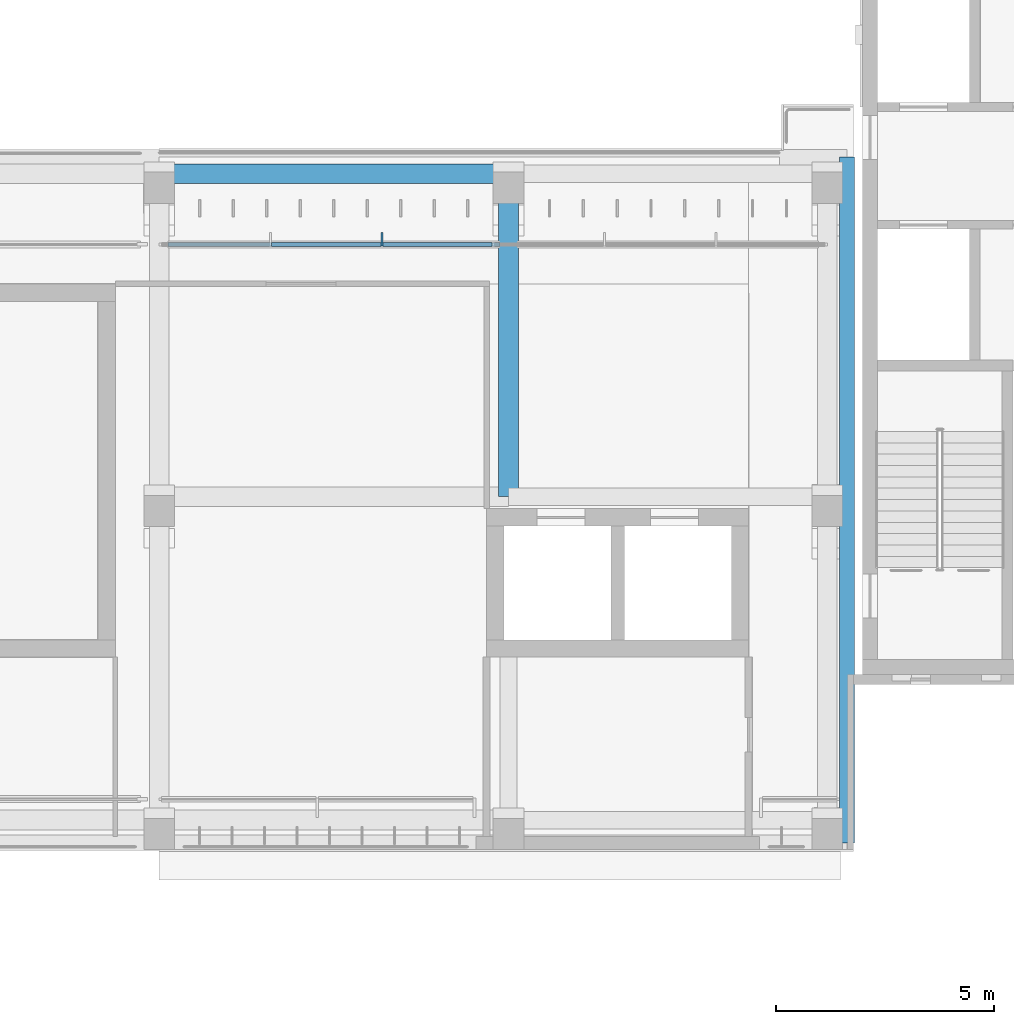
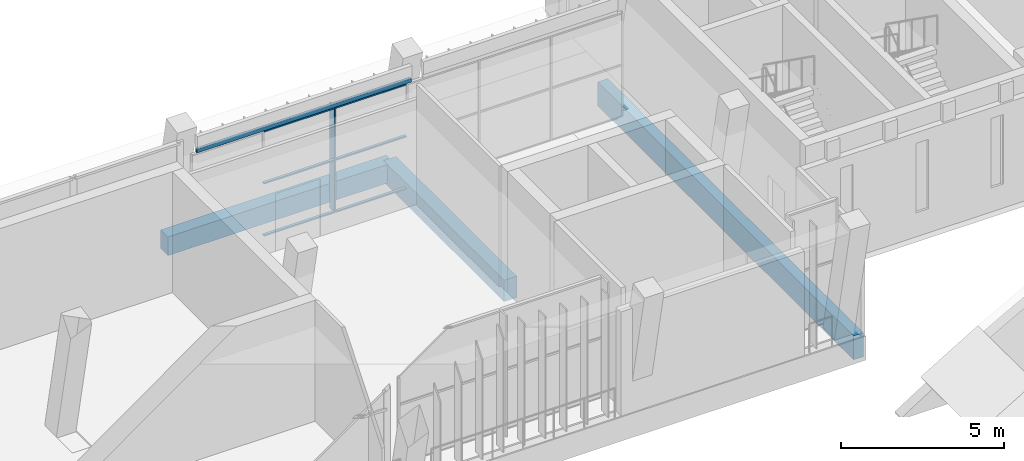
# One storey, part 13 of 74: 7 members, 4 beams, 1 element without a shape of its own.
"""IFC4 building model written with IfcOpenShell, lengths in metres."""

from ifc_helpers import new_model, si_unit, direction, frame, origin, origin_2d, place, context, subcontext, project, spatial, rectangle, hollow_rectangle, extrude, material, material_profile, profile_set, type_object, element, aggregate, save


model = new_model("IFC4")

# Units and contexts
model_context = context("Model", 3, precision=1e-05, world=origin(), true_north=direction((0.0, 1.0)))
body_context = subcontext(model_context, "Body", "Model", "MODEL_VIEW")
ifc_project = project(units=[si_unit("LENGTHUNIT", "METRE"), si_unit("AREAUNIT", "SQUARE_METRE"), si_unit("VOLUMEUNIT", "CUBIC_METRE"), si_unit("PLANEANGLEUNIT", "RADIAN"), si_unit("MASSUNIT", "GRAM", prefix="KILO")], contexts=[model_context])

# Site, building, storey
site_placement = place(None, origin())
site = spatial("IfcSite", under=ifc_project, at=site_placement, CompositionType="ELEMENT")
building_placement = place(site_placement, origin())
building = spatial("IfcBuilding", under=site, at=building_placement, Name="Lantern Court Media Centre", CompositionType="ELEMENT")
storey_placement = place(building_placement, frame((0.0, 0.0, 19.199951171875)))
storey = spatial("IfcBuildingStorey", under=building, at=storey_placement, Name="L04", CompositionType="ELEMENT", Elevation=19.199951171875)

# Curtain wall, members
ifc_material_1 = material(Name="Curtain wall bay 2400")
curtain_wall_type = type_object("IfcCurtainWallType", Name="Curtain wall bay 2400", PredefinedType="NOTDEFINED", material=ifc_material_1)
curtain_wall_placement = place(storey_placement, origin())
curtain_wall = element("IfcCurtainWall", 1, at=curtain_wall_placement, inside=storey, type_object=curtain_wall_type, Name="Curtain wall S inner L04", PredefinedType="NOTDEFINED")
ifc_material_2 = material(Name="Anodised aluminium", Category="aluminium")
ifc_material_profile_1 = material_profile(ifc_material_2, rectangle(XDim=0.300048828125, YDim=0.050048828125, at=origin_2d()), Name="AL 50x300")
ifc_profile_set_1 = profile_set([ifc_material_profile_1], Name="Anodised aluminium")
member_type_1 = type_object("IfcMemberType", Name="Curtain wall mullion 50x300", PredefinedType="MULLION", material=ifc_profile_set_1)
member_1_placement = place(storey_placement, frame((69.10009765625, 57.969970703125, 0.0), z_axis=(0.0, 0.0, 1.0), x_axis=(0.0, 1.0, 0.0)))
member_1 = element("IfcMember", 2, at=member_1_placement, type_object=member_type_1, Name="CW2 mullion 3", PredefinedType="MULLION", context=body_context, shape_type="SweptSolid", body=[
    extrude(rectangle(XDim=0.300048828125, YDim=0.050048828125, at=origin_2d()), origin(), (0.0, 0.0, 1.0), 3.949951171875),
])
ifc_material_profile_2 = material_profile(ifc_material_2, rectangle(XDim=0.10009765625, YDim=0.050048828125, at=origin_2d()), Name="AL 50x100")
ifc_profile_set_2 = profile_set([ifc_material_profile_2], Name="Anodised aluminium")
member_type_2 = type_object("IfcMemberType", Name="Curtain wall transom 100x50", PredefinedType="USERDEFINED", material=ifc_profile_set_2)
member_2_placement = place(storey_placement, frame((66.574951171875, 57.85009765625, 0.025146484375), z_axis=(1.0, 0.0, 0.0), x_axis=(0.0, 1.0, 0.0)))
member_2 = element("IfcMember", 3, at=member_2_placement, type_object=member_type_2, Name="CW2 transom 2.1", ObjectType="TRANSOM", PredefinedType="USERDEFINED", context=body_context, shape_type="SweptSolid", body=[
    extrude(rectangle(XDim=0.10009765625, YDim=0.050048828125, at=origin_2d()), origin(), (0.0, 0.0, 1.0), 2.5),
])
member_3_placement = place(storey_placement, frame((66.574951171875, 57.85009765625, 1.97509765625), z_axis=(1.0, 0.0, 0.0), x_axis=(0.0, 1.0, 0.0)))
member_3 = element("IfcMember", 4, at=member_3_placement, type_object=member_type_2, Name="CW2 transom 2.2", ObjectType="TRANSOM", PredefinedType="USERDEFINED", context=body_context, shape_type="SweptSolid", body=[
    extrude(rectangle(XDim=0.10009765625, YDim=0.050048828125, at=origin_2d()), origin(), (0.0, 0.0, 1.0), 2.5),
])
member_4_placement = place(storey_placement, frame((66.574951171875, 57.85009765625, 3.925048828125), z_axis=(1.0, 0.0, 0.0), x_axis=(0.0, 1.0, 0.0)))
member_4 = element("IfcMember", 5, at=member_4_placement, type_object=member_type_2, Name="CW2 transom 2.3", ObjectType="TRANSOM", PredefinedType="USERDEFINED", context=body_context, shape_type="SweptSolid", body=[
    extrude(rectangle(XDim=0.10009765625, YDim=0.050048828125, at=origin_2d()), origin(), (0.0, 0.0, 1.0), 2.5),
])
member_5_placement = place(storey_placement, frame((69.125, 57.85009765625, 0.025146484375), z_axis=(1.0, 0.0, 0.0), x_axis=(0.0, 1.0, 0.0)))
member_5 = element("IfcMember", 6, at=member_5_placement, type_object=member_type_2, Name="CW2 transom 3.1", ObjectType="TRANSOM", PredefinedType="USERDEFINED", context=body_context, shape_type="SweptSolid", body=[
    extrude(rectangle(XDim=0.10009765625, YDim=0.050048828125, at=origin_2d()), origin(), (0.0, 0.0, 1.0), 2.5),
])
member_6_placement = place(storey_placement, frame((69.125, 57.85009765625, 1.97509765625), z_axis=(1.0, 0.0, 0.0), x_axis=(0.0, 1.0, 0.0)))
member_6 = element("IfcMember", 7, at=member_6_placement, type_object=member_type_2, Name="CW2 transom 3.2", ObjectType="TRANSOM", PredefinedType="USERDEFINED", context=body_context, shape_type="SweptSolid", body=[
    extrude(rectangle(XDim=0.10009765625, YDim=0.050048828125, at=origin_2d()), origin(), (0.0, 0.0, 1.0), 2.5),
])
member_7_placement = place(storey_placement, frame((69.125, 57.85009765625, 3.925048828125), z_axis=(1.0, 0.0, 0.0), x_axis=(0.0, 1.0, 0.0)))
member_7 = element("IfcMember", 8, at=member_7_placement, type_object=member_type_2, Name="CW2 transom 3.3", ObjectType="TRANSOM", PredefinedType="USERDEFINED", context=body_context, shape_type="SweptSolid", body=[
    extrude(rectangle(XDim=0.10009765625, YDim=0.050048828125, at=origin_2d()), origin(), (0.0, 0.0, 1.0), 2.5),
])
aggregate(curtain_wall, [member_1, member_2, member_3, member_4, member_5, member_6, member_7])

# Beams
ifc_material_3 = material(Name="Steel S355J2 (EN 10025-2)", Category="steel")
ifc_material_profile_3 = material_profile(ifc_material_3, hollow_rectangle(XDim=0.10009765625, YDim=0.14990234375, WallThickness=0.00634765625, InnerFilletRadius=0.00634765625, OuterFilletRadius=0.009521484375, at=origin_2d()), Name="Facade head lintel RHS 150x100x6.3")
ifc_profile_set_3 = profile_set([ifc_material_profile_3], Name="Steel S355J2 (EN 10025-2)")
beam_type_1 = type_object("IfcBeamType", Name="Facade head lintel RHS 150x100x6.3", PredefinedType="BEAM", material=ifc_profile_set_3)
beam_1_placement = place(storey_placement, frame((64.199951171875, 57.85009765625, 4.025146484375), z_axis=(1.0, 0.0, 0.0), x_axis=(0.0, 1.0, 0.0)))
element("IfcBeam", 9, at=beam_1_placement, inside=storey, type_object=beam_type_1, Name="Facade head lintel S L04", PredefinedType="BEAM", context=body_context, shape_type="SweptSolid", body=[
    extrude(hollow_rectangle(XDim=0.10009765625, YDim=0.14990234375, WallThickness=0.00634765625, InnerFilletRadius=0.00634765625, OuterFilletRadius=0.009521484375, at=origin_2d()), origin(), (0.0, 0.0, 1.0), 7.60009765625),
])
ifc_material_4 = material(Name="Concrete C35", Category="concrete")
ifc_material_profile_4 = material_profile(ifc_material_4, rectangle(XDim=0.35009765625, YDim=0.89990234375, at=origin_2d()), Name="RC 350x900")
ifc_profile_set_4 = profile_set([ifc_material_profile_4], Name="Concrete C35")
beam_type_2 = type_object("IfcBeamType", Name="RC BEAM 350x900", PredefinedType="BEAM", material=ifc_profile_set_4)
beam_2_placement = place(storey_placement, frame((79.75, 44.14990234375, -0.449951171875), z_axis=(0.0, 1.0, 0.0), x_axis=(-1.0, 0.0, 0.0)))
element("IfcBeam", 10, at=beam_2_placement, inside=storey, type_object=beam_type_2, Name="EB-S-L04-D", PredefinedType="BEAM", context=body_context, shape_type="SweptSolid", body=[
    extrude(rectangle(XDim=0.35009765625, YDim=0.89990234375, at=origin_2d()), origin(), (0.0, 0.0, 1.0), 15.7001953125),
])
ifc_material_profile_5 = material_profile(ifc_material_4, rectangle(XDim=0.449951171875, YDim=0.699951171875, at=origin_2d()), Name="RC 450x700")
ifc_profile_set_5 = profile_set([ifc_material_profile_5], Name="Concrete C35")
beam_type_3 = type_object("IfcBeamType", Name="RC BEAM 450x700", PredefinedType="BEAM", material=ifc_profile_set_5)
beam_3_placement = place(storey_placement, frame((64.0, 59.472900390625, -0.349853515625), z_axis=(1.0, 0.0, 0.0), x_axis=(0.0, 1.0, 0.0)))
element("IfcBeam", 11, at=beam_3_placement, inside=storey, type_object=beam_type_3, Name="LB-S-L04-2-5", PredefinedType="BEAM", context=body_context, shape_type="SweptSolid", body=[
    extrude(rectangle(XDim=0.449951171875, YDim=0.699951171875, at=origin_2d()), origin(), (0.0, 0.0, 1.0), 8.0),
])
ifc_material_profile_6 = material_profile(ifc_material_4, rectangle(XDim=0.449951171875, YDim=0.800048828125, at=origin_2d()), Name="RC 450x800")
ifc_profile_set_6 = profile_set([ifc_material_profile_6], Name="Concrete C35")
beam_type_4 = type_object("IfcBeamType", Name="RC BEAM 450x800", PredefinedType="BEAM", material=ifc_profile_set_6)
beam_4_placement = place(storey_placement, frame((72.0, 52.083251953125, -0.39990234375), z_axis=(0.0, 1.0, 0.0), x_axis=(-1.0, 0.0, 0.0)))
element("IfcBeam", 12, at=beam_4_placement, inside=storey, type_object=beam_type_4, Name="TB-S-L04-6-2", PredefinedType="BEAM", context=body_context, shape_type="SweptSolid", body=[
    extrude(rectangle(XDim=0.449951171875, YDim=0.800048828125, at=origin_2d()), origin(), (0.0, 0.0, 1.0), 7.400146484375),
])

save(model, "model.ifc")
